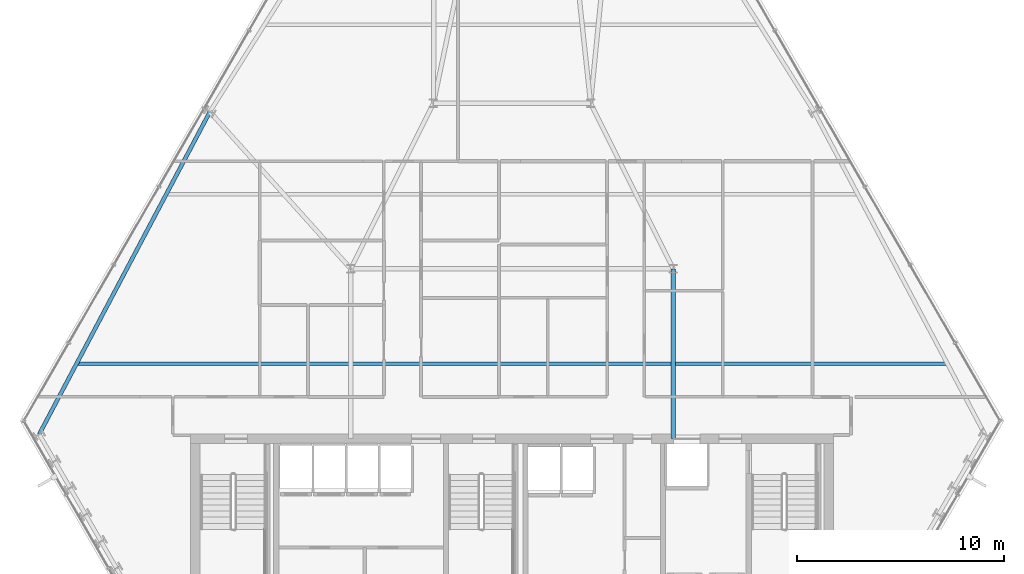
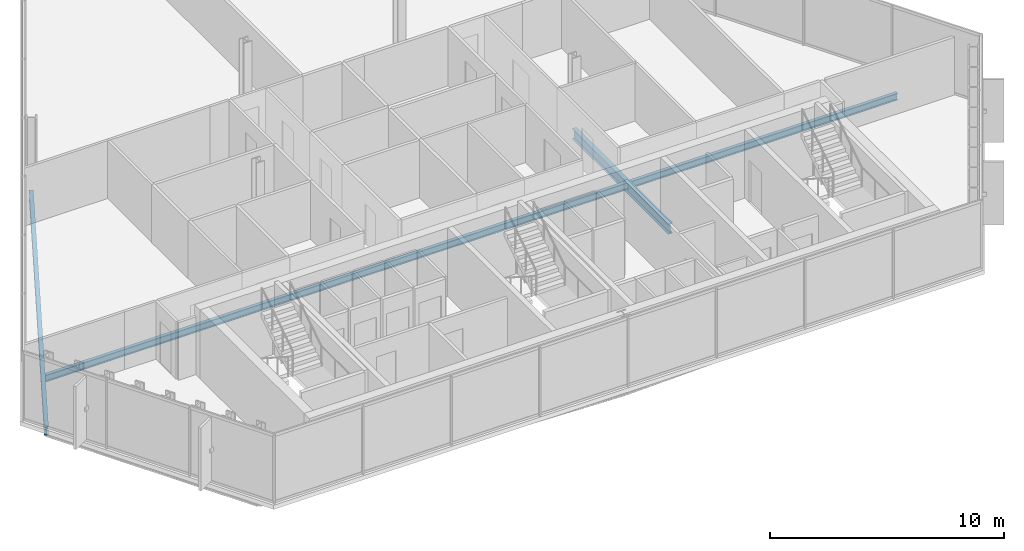
# One storey, part 10 of 32: 3 beams.
"""IFC4 building model written with IfcOpenShell, lengths in metres."""

import ifcopenshell
import ifcopenshell.guid

model = None  # the IFC model being written
_history = None  # IfcOwnerHistory: only IFC2X3 demands one
_inside = {}  # id of a spatial element -> (the spatial element, [elements in it])
_under = {}  # id of a project, library or spatial element -> (it, [spatial elements below it])
_declared = {}  # id of a project -> (the project, [libraries it declares])
_typed = {}  # id of a type object -> (the type object, [elements of that type])
_made_of = {}  # id of a material, layer set ... -> (it, [elements and type objects made of it])


def new_model(schema):
    """Start an empty IFC model of exactly this schema.

    Asked for "IFC4X3", IfcOpenShell would pick the latest addendum, in which some entities
    have other attributes; the version numbers below select the first issue.
    IFC2X3 requires an IfcOwnerHistory on every rooted entity: one is made here for all.
    """
    global model, _history
    if schema == "IFC4X3":
        model = ifcopenshell.file(schema_version=(4, 3, 0, 0))
    else:
        model = ifcopenshell.file(schema=schema)
    _inside.clear()
    _under.clear()
    _declared.clear()
    _typed.clear()
    _made_of.clear()
    _history = None
    if model.schema == "IFC2X3":
        org = make("IfcOrganization", Name="unknown")
        user = make(
            "IfcPersonAndOrganization",
            ThePerson=make("IfcPerson", FamilyName="unknown"),
            TheOrganization=org,
        )
        app = make(
            "IfcApplication",
            ApplicationDeveloper=org,
            Version="unknown",
            ApplicationFullName="unknown",
            ApplicationIdentifier="unknown",
        )
        _history = make(
            "IfcOwnerHistory",
            OwningUser=user,
            OwningApplication=app,
            ChangeAction="ADDED",
            CreationDate=0,
        )
    return model


def make(cls, **values):
    """One entity of the class cls with the attributes given. An attribute that is None is left unset."""
    return model.create_entity(
        cls, **{name: value for name, value in values.items() if value is not None}
    )


def rooted(cls, **values):
    """An entity with a GlobalId (a new one), such as an element, a storey or a relation."""
    return make(cls, GlobalId=ifcopenshell.guid.new(), OwnerHistory=_history, **values)


def si_unit(unit_type, name, prefix=None):
    """IfcSIUnit, for example si_unit("LENGTHUNIT", "METRE", prefix="MILLI")."""
    return make("IfcSIUnit", UnitType=unit_type, Prefix=prefix, Name=name)


def assignment(units):
    """IfcUnitAssignment: the units of a project."""
    return None if units is None else make("IfcUnitAssignment", Units=units)


def point(xyz):
    """IfcCartesianPoint."""
    return None if xyz is None else make("IfcCartesianPoint", Coordinates=xyz)


def direction(xyz):
    """IfcDirection."""
    return None if xyz is None else make("IfcDirection", DirectionRatios=xyz)


def frame(location, z_axis=None, x_axis=None):
    """IfcAxis2Placement3D, a coordinate frame: its origin and axes. An axis left out is left unset."""
    return make(
        "IfcAxis2Placement3D",
        Location=point(location),
        Axis=direction(z_axis),
        RefDirection=direction(x_axis),
    )


def frame_2d(location, x_axis=None):
    """IfcAxis2Placement2D, a coordinate frame in the plane: its origin and x axis."""
    return make(
        "IfcAxis2Placement2D", Location=point(location), RefDirection=direction(x_axis)
    )


def origin():
    """The frame at (0, 0, 0) with its axes left unset."""
    return frame((0.0, 0.0, 0.0))


def origin_2d():
    """The frame at (0, 0) in the plane with its x axis left unset."""
    return frame_2d((0.0, 0.0))


def place(relative_to, where):
    """IfcLocalPlacement: puts the frame where relative to a parent placement (None: the world)."""
    return make(
        "IfcLocalPlacement", PlacementRelTo=relative_to, RelativePlacement=where
    )


def context(
    kind, dimensions, precision=None, world=None, true_north=None, identifier=None
):
    """IfcGeometricRepresentationContext, for example the 3D "Model" context."""
    return make(
        "IfcGeometricRepresentationContext",
        ContextIdentifier=identifier,
        ContextType=kind,
        CoordinateSpaceDimension=dimensions,
        Precision=precision,
        WorldCoordinateSystem=world,
        TrueNorth=true_north,
    )


def subcontext(parent, identifier, kind, view, scale=None):
    """IfcGeometricRepresentationSubContext, for example "Body" below "Model"."""
    return make(
        "IfcGeometricRepresentationSubContext",
        ContextIdentifier=identifier,
        ContextType=kind,
        ParentContext=parent,
        TargetScale=scale,
        TargetView=view,
    )


def project(units=None, contexts=None):
    """IfcProject with its units and contexts."""
    return rooted(
        "IfcProject",
        Name="project",
        RepresentationContexts=contexts,
        UnitsInContext=assignment(units),
    )


def spatial(cls, under=None, at=None, **own):
    """A site, building, storey or space (cls), placed at a placement, below another one or the project."""
    s = rooted(cls, ObjectPlacement=at, **own)
    if under is not None:
        _under.setdefault(under.id(), (under, []))[1].append(s)
    return s


def profile(cls, at=None, kind="AREA", **sizes):
    """A parametric profile (cls). Its sizes go by their IFC names, for example OverallWidth=200.0."""
    return make(cls, ProfileType=kind, Position=at, **sizes)


def i_section(**sizes):
    """IfcIShapeProfileDef."""
    return profile("IfcIShapeProfileDef", **sizes)


def extrude(swept, where, along, depth):
    """IfcExtrudedAreaSolid: the profile swept, set in the frame where, extruded along a direction by depth."""
    return make(
        "IfcExtrudedAreaSolid",
        SweptArea=swept,
        Position=where,
        ExtrudedDirection=direction(along),
        Depth=depth,
    )


def shape(context_of_items, identifier, shape_type, items):
    """IfcShapeRepresentation: the items that make up one representation, for example the "Body"."""
    return make(
        "IfcShapeRepresentation",
        ContextOfItems=context_of_items,
        RepresentationIdentifier=identifier,
        RepresentationType=shape_type,
        Items=items,
    )


def material(Name=None, Category=None):
    """IfcMaterial."""
    return make("IfcMaterial", Name=Name, Category=Category)


def material_profile(
    of_material, cross_section, Name=None, Category=None, Priority=None
):
    """IfcMaterialProfile: a cross section and its material."""
    return make(
        "IfcMaterialProfile",
        Name=Name,
        Material=of_material,
        Profile=cross_section,
        Priority=Priority,
        Category=Category,
    )


def profile_set(profiles, Name=None, composite=None):
    """IfcMaterialProfileSet."""
    return make(
        "IfcMaterialProfileSet",
        Name=Name,
        MaterialProfiles=profiles,
        CompositeProfile=composite,
    )


def made_of(thing, what):
    """Note that an element or type object is made of a material, layer set ...; save() writes the relation."""
    if what is not None:
        _made_of.setdefault(what.id(), (what, []))[1].append(thing)
    return thing


def type_object(cls, material=None, **own):
    """A type object (cls), such as IfcWallType, which elements share."""
    return made_of(rooted(cls, **own), material)


def element(
    cls,
    number,
    at=None,
    inside=None,
    cuts=None,
    type_object=None,
    material=None,
    context=None,
    identifier="Body",
    shape_type=None,
    held_by="IfcProductDefinitionShape",
    body=None,
    shapes=None,
    **own,
):
    """One element of the class cls, such as IfcWall. Its Tag is "e" and its number.

    at: its placement. inside: the storey or other place that contains it. cuts: it is an
    opening in that element (IfcRelVoidsElement). A single representation is given by context,
    identifier, shape_type and body (its items); several are given by shapes. held_by: the class
    of the entity that holds the representations. save() writes the other relations.
    """
    e = rooted(cls, Tag="e%d" % number, ObjectPlacement=at, **own)
    if body is not None:
        shapes = [shape(context, identifier, shape_type, body)]
    if shapes is not None:
        e.Representation = make(held_by, Representations=shapes)
    if inside is not None:
        _inside.setdefault(inside.id(), (inside, []))[1].append(e)
    if cuts is not None:
        rooted(
            "IfcRelVoidsElement", RelatingBuildingElement=cuts, RelatedOpeningElement=e
        )
    if type_object is not None:
        _typed.setdefault(type_object.id(), (type_object, []))[1].append(e)
    return made_of(e, material)


def aggregate(whole, parts):
    """IfcRelAggregates: a whole, such as a stair, and the parts it consists of."""
    return rooted("IfcRelAggregates", RelatingObject=whole, RelatedObjects=parts)


def save(model, path):
    """Write the relations noted so far, then the file.

    IfcRelAggregates (storeys below a building ...), IfcRelContainedInSpatialStructure (elements
    in a storey), IfcRelDefinesByType, IfcRelAssociatesMaterial and IfcRelDeclares: one each for
    every whole, place, type object, material and project.
    """
    for whole, parts in _under.values():
        aggregate(whole, parts)
    for where, things in _inside.values():
        rooted(
            "IfcRelContainedInSpatialStructure",
            RelatedElements=things,
            RelatingStructure=where,
        )
    for kind, things in _typed.values():
        rooted("IfcRelDefinesByType", RelatedObjects=things, RelatingType=kind)
    for what, things in _made_of.values():
        rooted("IfcRelAssociatesMaterial", RelatedObjects=things, RelatingMaterial=what)
    for by, libraries in _declared.values():
        rooted("IfcRelDeclares", RelatingContext=by, RelatedDefinitions=libraries)
    model.write(path)


model = new_model("IFC4")

# Units and contexts
model_context = context("Model", 3, precision=1e-05, world=origin(), true_north=direction((0.0, 1.0)))
body_context = subcontext(model_context, "Body", "Model", "MODEL_VIEW")
ifc_project = project(units=[si_unit("LENGTHUNIT", "METRE"), si_unit("AREAUNIT", "SQUARE_METRE"), si_unit("VOLUMEUNIT", "CUBIC_METRE"), si_unit("PLANEANGLEUNIT", "RADIAN"), si_unit("MASSUNIT", "GRAM", prefix="KILO")], contexts=[model_context])

# Site, building, storey
site_placement = place(None, origin())
site = spatial("IfcSite", under=ifc_project, at=site_placement, CompositionType="ELEMENT")
building_placement = place(site_placement, origin())
building = spatial("IfcBuilding", under=site, at=building_placement, Name="Ndaravel Arena Tower", CompositionType="ELEMENT")
storey_placement = place(building_placement, frame((0.0, 0.0, 130.800048828125)))
storey = spatial("IfcBuildingStorey", under=building, at=storey_placement, Name="L30", CompositionType="ELEMENT", Elevation=130.800048828125)

# Beams
ifc_material_1 = material(Name="Steel S355", Category="steel")
ifc_material_profile_1 = material_profile(ifc_material_1, i_section(OverallWidth=0.210693359375, OverallDepth=0.53955078125, WebThickness=0.01171875, FlangeThickness=0.018798828125, FilletRadius=0.0126953125, at=origin_2d()), Name="UB 533x210x109")
ifc_profile_set_1 = profile_set([ifc_material_profile_1], Name="Steel S355")
beam_type_1 = type_object("IfcBeamType", Name="BM-GIRD-UB533", PredefinedType="BEAM", material=ifc_profile_set_1)
beam_1_placement = place(storey_placement, frame((49.800048828125, 14.97998046875, -0.48974609375), z_axis=(0.0, 1.0, 0.0), x_axis=(-1.0, 0.0, 0.0)))
element("IfcBeam", 1, at=beam_1_placement, inside=storey, type_object=beam_type_1, Name="L30 Spine Link Girder SLG-02", PredefinedType="BEAM", context=body_context, shape_type="SweptSolid", body=[
    extrude(i_section(OverallWidth=0.210693359375, OverallDepth=0.53955078125, WebThickness=0.01171875, FlangeThickness=0.018798828125, FilletRadius=0.0126953125, at=origin_2d()), origin(), (0.0, 0.0, 1.0), 8.219970703125),
])
ifc_material_2 = material(Name="Steel S355", Category="steel")
ifc_material_profile_2 = material_profile(ifc_material_2, i_section(OverallWidth=0.172119140625, OverallDepth=0.35791015625, WebThickness=0.008056640625, FlangeThickness=0.012939453125, FilletRadius=0.01025390625, at=origin_2d()), Name="UB 356x171x57")
ifc_profile_set_2 = profile_set([ifc_material_profile_2], Name="Steel S355")
beam_type_2 = type_object("IfcBeamType", Name="BM-JOIST-UB356", PredefinedType="JOIST", material=ifc_profile_set_2)
beam_2_placement = place(storey_placement, frame((20.935546875, 18.60009765625, -0.399169921875), z_axis=(1.0, 0.0, 0.0), x_axis=(0.0, 1.0, 0.0)))
element("IfcBeam", 2, at=beam_2_placement, inside=storey, type_object=beam_type_2, Name="L30 Composite Floor Joist FJ-01", PredefinedType="JOIST", context=body_context, shape_type="SweptSolid", body=[
    extrude(i_section(OverallWidth=0.172119140625, OverallDepth=0.35791015625, WebThickness=0.008056640625, FlangeThickness=0.012939453125, FilletRadius=0.01025390625, at=origin_2d()), origin(), (0.0, 0.0, 1.0), 42.12890625),
])
ifc_material_3 = material(Name="Steel S355", Category="steel")
ifc_material_profile_3 = material_profile(ifc_material_3, i_section(OverallWidth=0.18994140625, OverallDepth=0.449951171875, WebThickness=0.009521484375, FlangeThickness=0.0146484375, FilletRadius=0.02099609375, at=origin_2d()), Name="IPE 450")
ifc_profile_set_3 = profile_set([ifc_material_profile_3], Name="Steel S355")
beam_type_3 = type_object("IfcBeamType", Name="BM-SPAN-IPE450", PredefinedType="SPANDREL", material=ifc_profile_set_3)
beam_3_placement = place(storey_placement, frame((27.38818359375, 30.78857421875, -0.445068359375), z_axis=(-0.467885177622, -0.883789262529, 0.0), x_axis=(0.883789262529, -0.467885177622, 0.0)))
element("IfcBeam", 3, at=beam_3_placement, inside=storey, type_object=beam_type_3, Name="L30 Perimeter Spandrel Beam SP-19", PredefinedType="SPANDREL", context=body_context, shape_type="SweptSolid", body=[
    extrude(i_section(OverallWidth=0.18994140625, OverallDepth=0.449951171875, WebThickness=0.009521484375, FlangeThickness=0.0146484375, FilletRadius=0.02099609375, at=origin_2d()), origin(), (0.0, 0.0, 1.0), 17.6455078125),
])

save(model, "model.ifc")
